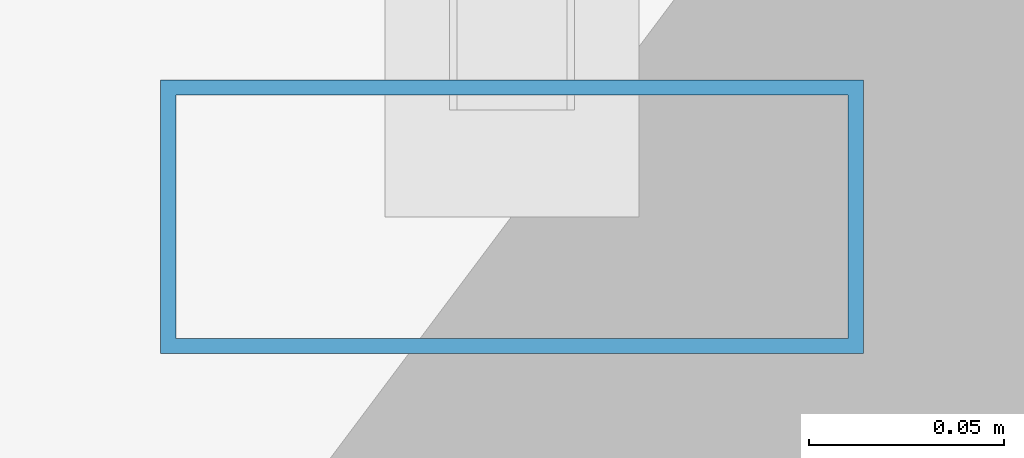
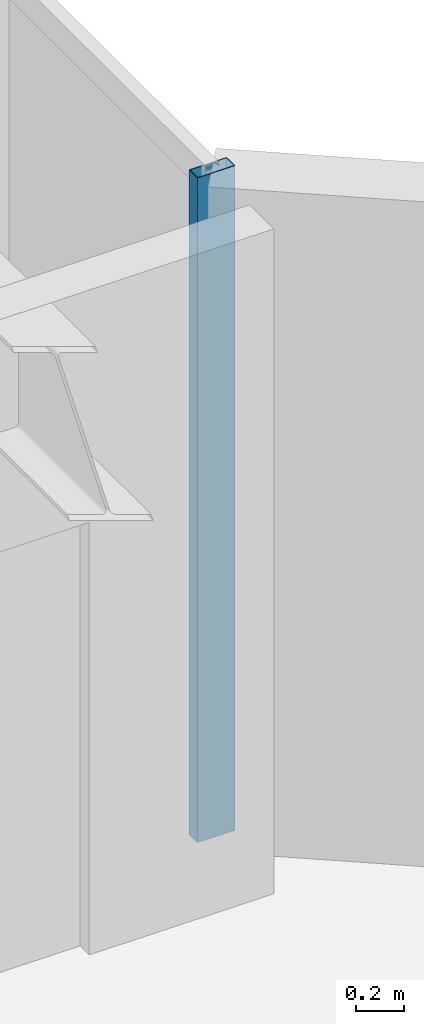
# One storey, part 10 of 25: 1 member, 1 element without a shape of its own.
"""IFC4 building model written with IfcOpenShell, lengths in metres."""

from ifc_helpers import new_model, si_unit, direction, frame, origin, origin_2d, place, context, subcontext, project, spatial, hollow_rectangle, extrude, material, layer, layer_set, material_profile, profile_set, type_object, element, aggregate, save


model = new_model("IFC4")

# Units and contexts
model_context = context("Model", 3, precision=1e-05, world=origin(), true_north=direction((0.0, 1.0)))
body_context = subcontext(model_context, "Body", "Model", "MODEL_VIEW")
ifc_project = project(units=[si_unit("LENGTHUNIT", "METRE"), si_unit("AREAUNIT", "SQUARE_METRE"), si_unit("VOLUMEUNIT", "CUBIC_METRE"), si_unit("PLANEANGLEUNIT", "RADIAN"), si_unit("MASSUNIT", "GRAM", prefix="KILO")], contexts=[model_context])

# Site, building, storey
site_placement = place(None, origin())
site = spatial("IfcSite", under=ifc_project, at=site_placement, CompositionType="ELEMENT")
building_placement = place(site_placement, origin())
building = spatial("IfcBuilding", under=site, at=building_placement, Name="Hatsunagi Terrace Concourse", CompositionType="ELEMENT")
storey_placement = place(building_placement, frame((0.0, 0.0, 223.949951171875)))
storey = spatial("IfcBuildingStorey", under=building, at=storey_placement, Name="L59", CompositionType="ELEMENT", Elevation=223.949951171875)

# Curtain wall, member
ifc_material_1 = material(Name="Anodised Aluminium Alloy 6063-T5", Category="aluminium")
ifc_layer = layer(ifc_material_1, 0.199951171875)
ifc_layer_set = layer_set([ifc_layer], Name="OfficeZone2_CW04")
curtain_wall_type = type_object("IfcCurtainWallType", Name="OfficeZone2_CW04", PredefinedType="NOTDEFINED", material=ifc_layer_set)
curtain_wall_placement = place(storey_placement, origin())
curtain_wall = element("IfcCurtainWall", 1, at=curtain_wall_placement, inside=storey, type_object=curtain_wall_type, Name="Unitised Curtain Wall CW-04 CW-L59-12", PredefinedType="NOTDEFINED")
ifc_material_2 = material(Name="Anodised Aluminium Alloy 6063-T5", Category="aluminium")
ifc_material_profile = material_profile(ifc_material_2, hollow_rectangle(XDim=0.070068359375, YDim=0.179931640625, WallThickness=0.00390625, at=origin_2d()), Name="ALU-MUL-180x70x4")
ifc_profile_set = profile_set([ifc_material_profile], Name="Anodised Aluminium Alloy 6063-T5")
member_type = type_object("IfcMemberType", Name="CurtainWallMullion_180x70", PredefinedType="MULLION", material=ifc_profile_set)
member_placement = place(storey_placement, frame((44.860107421875, 40.72998046875, 0.0), z_axis=(0.0, 0.0, 1.0), x_axis=(0.0, -1.0, 0.0)))
member = element("IfcMember", 2, at=member_placement, type_object=member_type, Name="Curtain Wall Mullion MUL-02", PredefinedType="MULLION", context=body_context, shape_type="SweptSolid", body=[
    extrude(hollow_rectangle(XDim=0.070068359375, YDim=0.179931640625, WallThickness=0.00390625, at=origin_2d()), origin(), (0.0, 0.0, 1.0), 3.35009765625),
])
aggregate(curtain_wall, [member])

save(model, "model.ifc")
